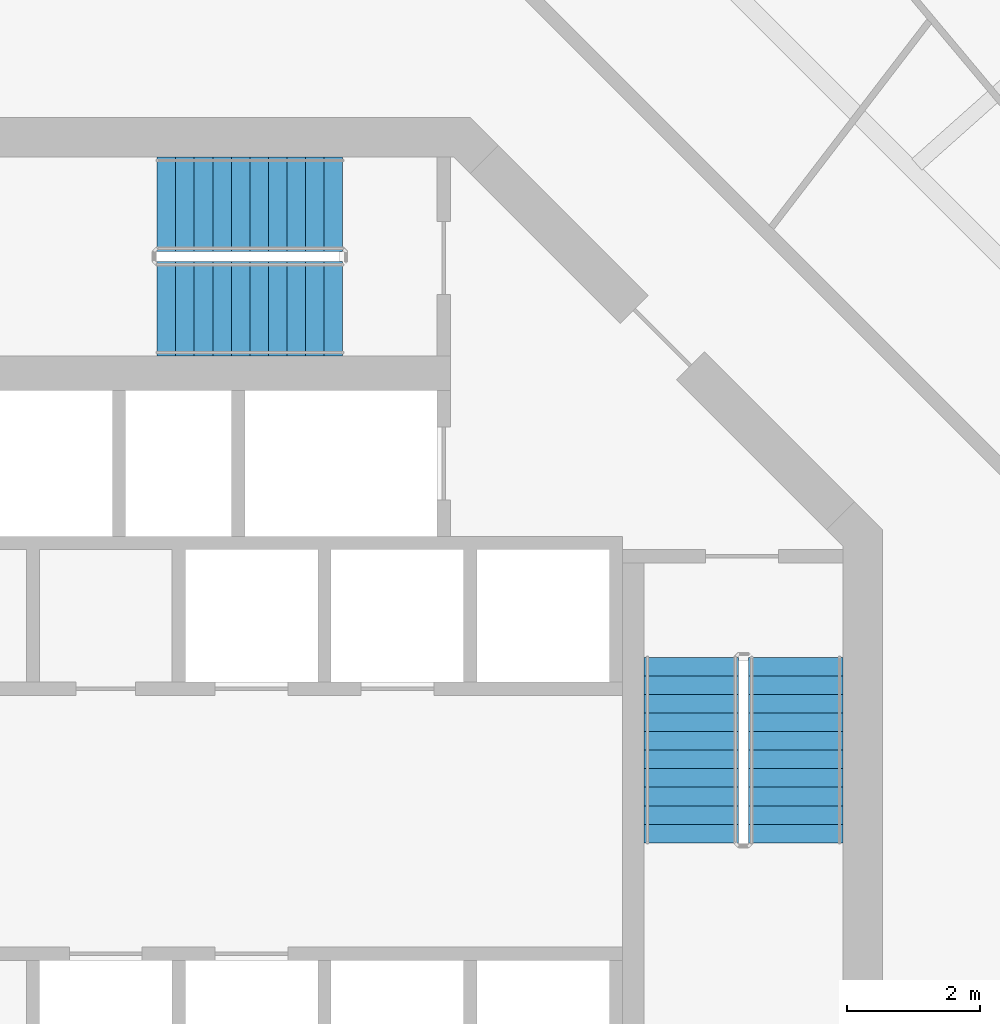
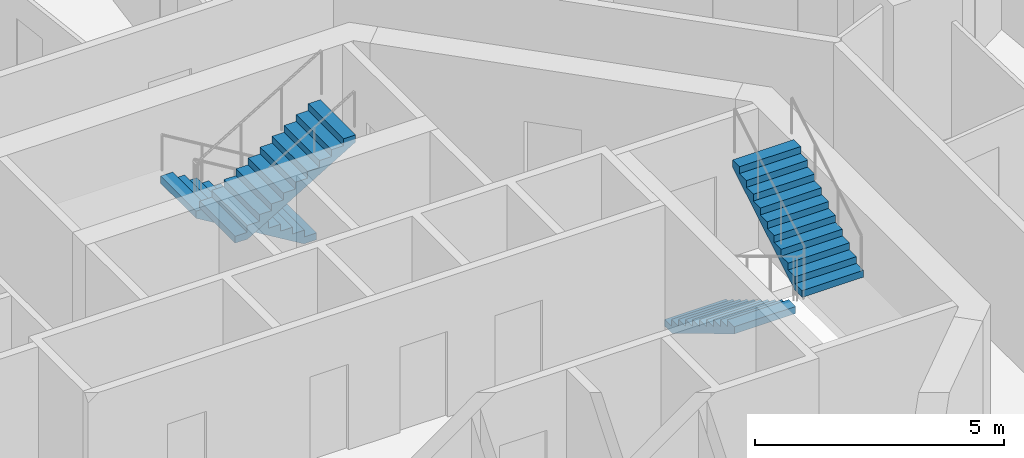
# One storey, part 15 of 18: 4 stair flights, 2 elements without a shape of their own.
"""IFC4 building model written with IfcOpenShell, lengths in metres."""

from ifc_helpers import new_model, si_unit, direction, frame, origin, place, context, subcontext, project, spatial, polyline, outline, extrude, material, type_object, element, aggregate, save


model = new_model("IFC4")

# Units and contexts
model_context = context("Model", 3, precision=1e-05, world=origin(), true_north=direction((0.0, 1.0)))
body_context = subcontext(model_context, "Body", "Model", "MODEL_VIEW")
ifc_project = project(units=[si_unit("LENGTHUNIT", "METRE"), si_unit("AREAUNIT", "SQUARE_METRE"), si_unit("VOLUMEUNIT", "CUBIC_METRE"), si_unit("PLANEANGLEUNIT", "RADIAN"), si_unit("MASSUNIT", "GRAM", prefix="KILO")], contexts=[model_context])

# Site, building, storey
site_placement = place(None, origin())
site = spatial("IfcSite", under=ifc_project, at=site_placement, CompositionType="ELEMENT")
building_placement = place(site_placement, origin())
building = spatial("IfcBuilding", under=site, at=building_placement, Name="Nagisa Residences", CompositionType="ELEMENT")
storey_placement = place(building_placement, frame((0.0, 0.0, 223.300048828125)))
storey = spatial("IfcBuildingStorey", under=building, at=storey_placement, Name="L56", CompositionType="ELEMENT", Elevation=223.300048828125)

# Stair, stair flights
ifc_material_1 = material(Name="Concrete C60", Category="concrete")
stair_type = type_object("IfcStairType", Name="Exit stair", PredefinedType="HALF_TURN_STAIR", material=ifc_material_1)
stair_1_placement = place(storey_placement, origin())
stair_1 = element("IfcStair", 1, at=stair_1_placement, inside=storey, type_object=stair_type, Name="L56 Exit stair E", PredefinedType="HALF_TURN_STAIR")
ifc_material_2 = material(Name="Concrete C60", Category="concrete")
stair_flight_type = type_object("IfcStairFlightType", Name="Exit stair flight", PredefinedType="STRAIGHT", material=ifc_material_2)
stair_flight_1_placement = place(storey_placement, frame((7.737060546875, 2.47509765625, 0.0), z_axis=(0.0, 0.0, 1.0), x_axis=(0.0, -1.0, 0.0)))
stair_flight_1 = element("IfcStairFlight", 2, at=stair_flight_1_placement, type_object=stair_flight_type, Name="ST-E flight 1", NumberOfRisers=11, NumberOfTreads=10, PredefinedType="STRAIGHT", RiserHeight=0.168181818, TreadLength=0.28, context=body_context, shape_type="SweptSolid", body=[
    extrude(outline(polyline([(0.0, 0.0), (0.0, 0.168212890625), (0.280029296875, 0.168212890625), (0.280029296875, 0.33642578125), (0.56005859375, 0.33642578125), (0.56005859375, 0.504638671875), (0.840087890625, 0.504638671875), (0.840087890625, 0.672607421875), (1.1201171875, 0.672607421875), (1.1201171875, 0.8408203125), (1.39990234375, 0.8408203125), (1.39990234375, 1.009033203125), (1.679931640625, 1.009033203125), (1.679931640625, 1.17724609375), (1.9599609375, 1.17724609375), (1.9599609375, 1.345458984375), (2.239990234375, 1.345458984375), (2.239990234375, 1.513671875), (2.52001953125, 1.513671875), (2.52001953125, 1.681884765625), (2.800048828125, 1.681884765625), (2.800048828125, 1.85009765625), (2.800048828125, 1.5068359375), (0.291015625, 0.0), (0.0, 0.0)])), frame((0.0, 0.71240234375, 0.0), z_axis=(0.0, -1.0, 0.0), x_axis=(1.0, 0.0, 0.0)), (0.0, 0.0, 1.0), 1.425048828125),
])
stair_flight_2_placement = place(storey_placement, frame((9.31201171875, -0.324951171875, 1.849853515625), z_axis=(0.0, 0.0, 1.0), x_axis=(0.0, 1.0, 0.0)))
stair_flight_2 = element("IfcStairFlight", 3, at=stair_flight_2_placement, type_object=stair_flight_type, Name="ST-E flight 2", NumberOfRisers=11, NumberOfTreads=10, PredefinedType="STRAIGHT", RiserHeight=0.168181818, TreadLength=0.28, context=body_context, shape_type="SweptSolid", body=[
    extrude(outline(polyline([(0.0, 0.0), (0.0, 0.168212890625), (0.280029296875, 0.168212890625), (0.280029296875, 0.33642578125), (0.56005859375, 0.33642578125), (0.56005859375, 0.504638671875), (0.840087890625, 0.504638671875), (0.840087890625, 0.672607421875), (1.1201171875, 0.672607421875), (1.1201171875, 0.8408203125), (1.39990234375, 0.8408203125), (1.39990234375, 1.009033203125), (1.679931640625, 1.009033203125), (1.679931640625, 1.17724609375), (1.9599609375, 1.17724609375), (1.9599609375, 1.345458984375), (2.239990234375, 1.345458984375), (2.239990234375, 1.513671875), (2.52001953125, 1.513671875), (2.52001953125, 1.681884765625), (2.800048828125, 1.681884765625), (2.800048828125, 1.85009765625), (2.800048828125, 1.5068359375), (0.291015625, 0.0), (0.0, 0.0)])), frame((0.0, 0.71240234375, 0.0), z_axis=(0.0, -1.0, 0.0), x_axis=(1.0, 0.0, 0.0)), (0.0, 0.0, 1.0), 1.425048828125),
])
aggregate(stair_1, [stair_flight_1, stair_flight_2])

stair_2_placement = place(storey_placement, origin())
stair_2 = element("IfcStair", 4, at=stair_2_placement, inside=storey, type_object=stair_type, Name="L56 Exit stair N", PredefinedType="HALF_TURN_STAIR")
stair_flight_3_placement = place(storey_placement, frame((2.47509765625, 9.31201171875, 0.0), z_axis=(0.0, 0.0, 1.0), x_axis=(-1.0, 0.0, 0.0)))
stair_flight_3 = element("IfcStairFlight", 5, at=stair_flight_3_placement, type_object=stair_flight_type, Name="ST-N flight 1", NumberOfRisers=11, NumberOfTreads=10, PredefinedType="STRAIGHT", RiserHeight=0.168181818, TreadLength=0.28, context=body_context, shape_type="SweptSolid", body=[
    extrude(outline(polyline([(0.0, 0.0), (0.0, 0.168212890625), (0.280029296875, 0.168212890625), (0.280029296875, 0.33642578125), (0.56005859375, 0.33642578125), (0.56005859375, 0.504638671875), (0.840087890625, 0.504638671875), (0.840087890625, 0.672607421875), (1.1201171875, 0.672607421875), (1.1201171875, 0.8408203125), (1.39990234375, 0.8408203125), (1.39990234375, 1.009033203125), (1.679931640625, 1.009033203125), (1.679931640625, 1.17724609375), (1.9599609375, 1.17724609375), (1.9599609375, 1.345458984375), (2.239990234375, 1.345458984375), (2.239990234375, 1.513671875), (2.52001953125, 1.513671875), (2.52001953125, 1.681884765625), (2.800048828125, 1.681884765625), (2.800048828125, 1.85009765625), (2.800048828125, 1.5068359375), (0.291015625, 0.0), (0.0, 0.0)])), frame((0.0, 0.71240234375, 0.0), z_axis=(0.0, -1.0, 0.0), x_axis=(1.0, 0.0, 0.0)), (0.0, 0.0, 1.0), 1.425048828125),
])
stair_flight_4_placement = place(storey_placement, frame((-0.324951171875, 7.737060546875, 1.849853515625), z_axis=(0.0, 0.0, 1.0), x_axis=(1.0, 0.0, 0.0)))
stair_flight_4 = element("IfcStairFlight", 6, at=stair_flight_4_placement, type_object=stair_flight_type, Name="ST-N flight 2", NumberOfRisers=11, NumberOfTreads=10, PredefinedType="STRAIGHT", RiserHeight=0.168181818, TreadLength=0.28, context=body_context, shape_type="SweptSolid", body=[
    extrude(outline(polyline([(0.0, 0.0), (0.0, 0.168212890625), (0.280029296875, 0.168212890625), (0.280029296875, 0.33642578125), (0.56005859375, 0.33642578125), (0.56005859375, 0.504638671875), (0.840087890625, 0.504638671875), (0.840087890625, 0.672607421875), (1.1201171875, 0.672607421875), (1.1201171875, 0.8408203125), (1.39990234375, 0.8408203125), (1.39990234375, 1.009033203125), (1.679931640625, 1.009033203125), (1.679931640625, 1.17724609375), (1.9599609375, 1.17724609375), (1.9599609375, 1.345458984375), (2.239990234375, 1.345458984375), (2.239990234375, 1.513671875), (2.52001953125, 1.513671875), (2.52001953125, 1.681884765625), (2.800048828125, 1.681884765625), (2.800048828125, 1.85009765625), (2.800048828125, 1.5068359375), (0.291015625, 0.0), (0.0, 0.0)])), frame((0.0, 0.71240234375, 0.0), z_axis=(0.0, -1.0, 0.0), x_axis=(1.0, 0.0, 0.0)), (0.0, 0.0, 1.0), 1.425048828125),
])
aggregate(stair_2, [stair_flight_3, stair_flight_4])

save(model, "model.ifc")
